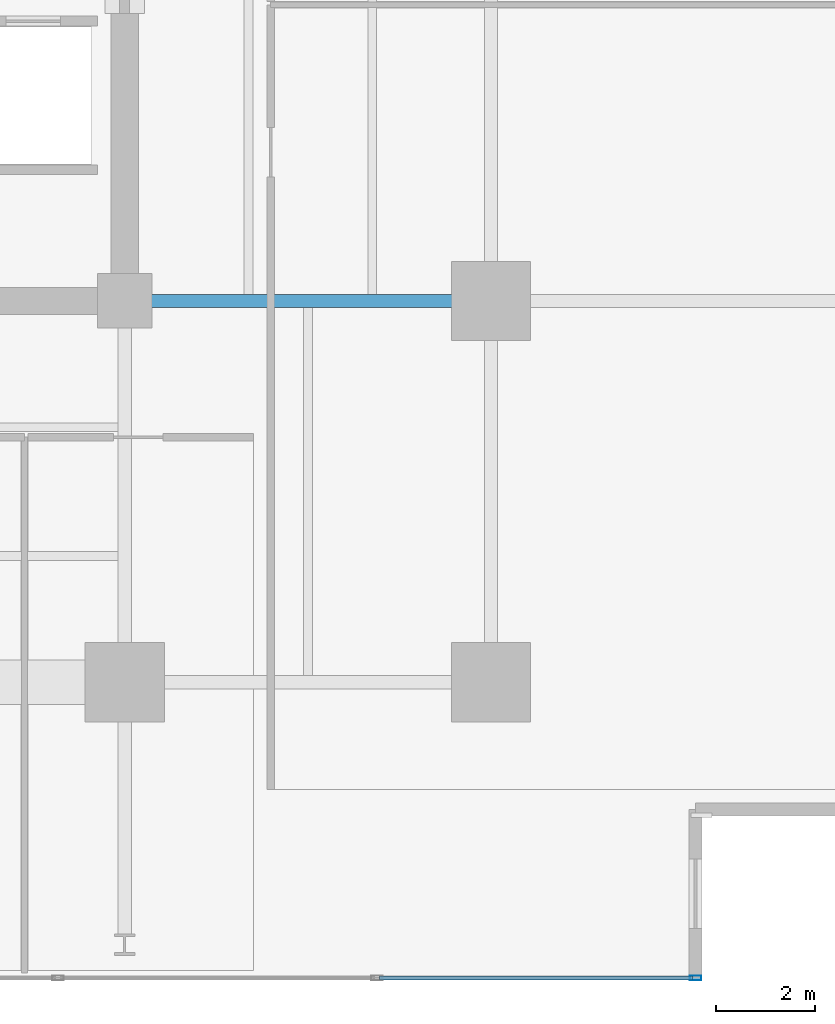
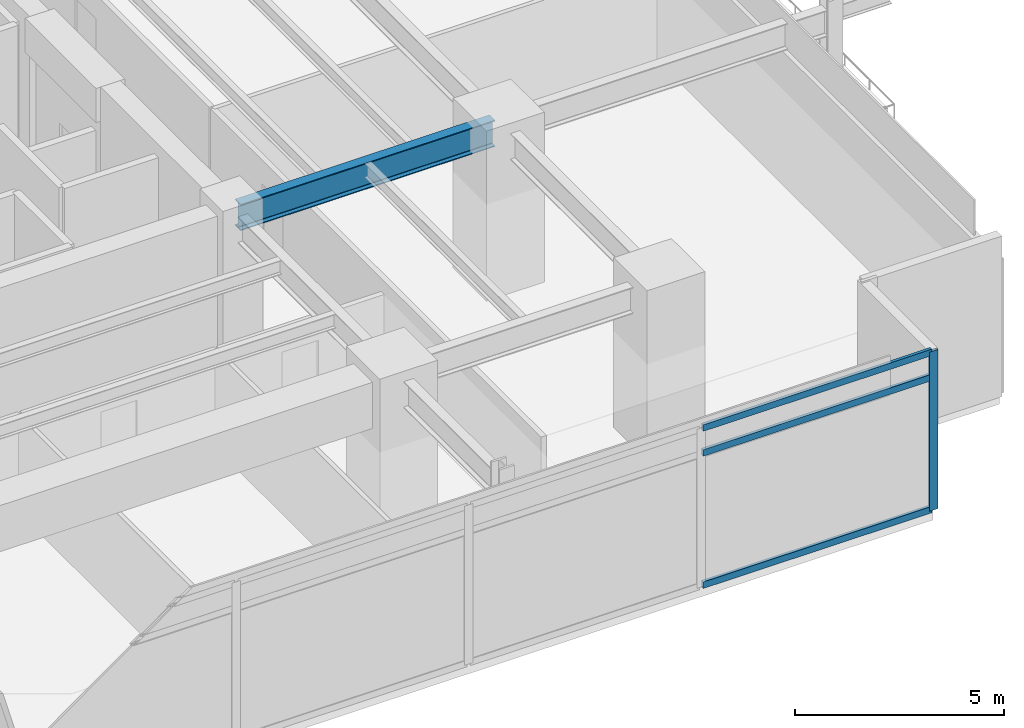
# One storey, part 6 of 24: 4 members, 1 beam, 1 element without a shape of its own.
"""IFC4 building model written with IfcOpenShell, lengths in metres."""

from ifc_helpers import new_model, si_unit, direction, frame, origin, origin_2d, place, context, subcontext, project, spatial, hollow_rectangle, i_section, extrude, material, material_profile, profile_set, type_object, element, aggregate, save


model = new_model("IFC4")

# Units and contexts
model_context = context("Model", 3, precision=1e-05, world=origin(), true_north=direction((0.0, 1.0)))
body_context = subcontext(model_context, "Body", "Model", "MODEL_VIEW")
ifc_project = project(units=[si_unit("LENGTHUNIT", "METRE"), si_unit("AREAUNIT", "SQUARE_METRE"), si_unit("VOLUMEUNIT", "CUBIC_METRE"), si_unit("PLANEANGLEUNIT", "RADIAN"), si_unit("MASSUNIT", "GRAM", prefix="KILO")], contexts=[model_context])

# Site, building, storey
site_placement = place(None, origin())
site = spatial("IfcSite", under=ifc_project, at=site_placement, CompositionType="ELEMENT")
building_placement = place(site_placement, origin())
building = spatial("IfcBuilding", under=site, at=building_placement, Name="Kovane Verandah Tower", CompositionType="ELEMENT")
storey_placement = place(building_placement, frame((0.0, 0.0, 118.39990234375)))
storey = spatial("IfcBuildingStorey", under=building, at=storey_placement, Name="L27", CompositionType="ELEMENT", Elevation=118.39990234375)

# Beam
ifc_material_1 = material(Name="Steel S355", Category="steel")
ifc_material_profile_1 = material_profile(ifc_material_1, i_section(OverallWidth=0.26806640625, OverallDepth=0.769775390625, WebThickness=0.015625, FlangeThickness=0.025390625, FilletRadius=0.0166015625, at=origin_2d()), Name="UB762x267x197")
ifc_profile_set_1 = profile_set([ifc_material_profile_1], Name="Steel S355")
beam_type = type_object("IfcBeamType", Name="BM-UB762x197", PredefinedType="BEAM", material=ifc_profile_set_1)
beam_placement = place(storey_placement, frame((51.179931640625, 18.5, 4.315185546875), z_axis=(1.0, 0.0, 0.0), x_axis=(0.0, 1.0, 0.0)))
element("IfcBeam", 1, at=beam_placement, inside=storey, type_object=beam_type, Name="L27 Primary Tower Girder G-E1", PredefinedType="BEAM", context=body_context, shape_type="SweptSolid", body=[
    extrude(i_section(OverallWidth=0.26806640625, OverallDepth=0.769775390625, WebThickness=0.015625, FlangeThickness=0.025390625, FilletRadius=0.0166015625, at=origin_2d()), origin(), (0.0, 0.0, 1.0), 7.0400390625),
])

# Curtain wall, members
ifc_material_2 = material(Name="Champagne Anodised Aluminium Frame with Low-E Clear Laminated Glass", Category="aluminium")
curtain_wall_type = type_object("IfcCurtainWallType", Name="CW-SYS-03-MID", PredefinedType="NOTDEFINED", material=ifc_material_2)
curtain_wall_placement = place(storey_placement, origin())
curtain_wall = element("IfcCurtainWall", 2, at=curtain_wall_placement, inside=storey, type_object=curtain_wall_type, Name="L27 S Unitised Curtain Wall", PredefinedType="NOTDEFINED")
ifc_material_3 = material(Name="Champagne Anodised Aluminium 6063-T6", Category="aluminium")
ifc_material_profile_2 = material_profile(ifc_material_3, hollow_rectangle(XDim=0.0849609375, YDim=0.22998046875, WallThickness=0.00390625, at=origin_2d()), Name="AL85x230x4")
ifc_profile_set_2 = profile_set([ifc_material_profile_2], Name="Champagne Anodised Aluminium 6063-T6")
member_type_1 = type_object("IfcMemberType", Name="CW-MUL-85x230", PredefinedType="MULLION", material=ifc_profile_set_2)
member_1_placement = place(storey_placement, frame((62.52978515625, 4.8291015625, 0.02001953125), z_axis=(0.0, 0.0, 1.0), x_axis=(0.0, -1.0, 0.0)))
member_1 = element("IfcMember", 3, at=member_1_placement, type_object=member_type_1, Name="L27 S Unitised Curtain Wall Mullion 8", PredefinedType="MULLION", context=body_context, shape_type="SweptSolid", body=[
    extrude(hollow_rectangle(XDim=0.0849609375, YDim=0.22998046875, WallThickness=0.00390625, at=origin_2d()), origin(), (0.0, 0.0, 1.0), 4.66015625),
])
ifc_material_profile_3 = material_profile(ifc_material_3, hollow_rectangle(XDim=0.0849609375, YDim=0.18994140625, WallThickness=0.00390625, at=origin_2d()), Name="AL85x190x4")
ifc_profile_set_3 = profile_set([ifc_material_profile_3], Name="Champagne Anodised Aluminium 6063-T6")
member_type_2 = type_object("IfcMemberType", Name="CW-TRN-85x190", PredefinedType="USERDEFINED", material=ifc_profile_set_3)
member_2_placement = place(storey_placement, frame((56.142822265625, 4.8291015625, 0.050048828125), z_axis=(1.0, 0.0, 0.0), x_axis=(0.0, 1.0, 0.0)))
member_2 = element("IfcMember", 4, at=member_2_placement, type_object=member_type_2, Name="L27 S Unitised Curtain Wall Transom TB Bay 7", ObjectType="TRANSOM", PredefinedType="USERDEFINED", context=body_context, shape_type="SweptSolid", body=[
    extrude(hollow_rectangle(XDim=0.0849609375, YDim=0.18994140625, WallThickness=0.00390625, at=origin_2d()), origin(), (0.0, 0.0, 1.0), 6.337158203125),
])
member_3_placement = place(storey_placement, frame((56.142822265625, 4.8291015625, 3.920166015625), z_axis=(1.0, 0.0, 0.0), x_axis=(0.0, 1.0, 0.0)))
member_3 = element("IfcMember", 5, at=member_3_placement, type_object=member_type_2, Name="L27 S Unitised Curtain Wall Transom TM Bay 7", ObjectType="TRANSOM", PredefinedType="USERDEFINED", context=body_context, shape_type="SweptSolid", body=[
    extrude(hollow_rectangle(XDim=0.0849609375, YDim=0.18994140625, WallThickness=0.00390625, at=origin_2d()), origin(), (0.0, 0.0, 1.0), 6.337158203125),
])
member_4_placement = place(storey_placement, frame((56.142822265625, 4.8291015625, 4.650146484375), z_axis=(1.0, 0.0, 0.0), x_axis=(0.0, 1.0, 0.0)))
member_4 = element("IfcMember", 6, at=member_4_placement, type_object=member_type_2, Name="L27 S Unitised Curtain Wall Transom TT Bay 7", ObjectType="TRANSOM", PredefinedType="USERDEFINED", context=body_context, shape_type="SweptSolid", body=[
    extrude(hollow_rectangle(XDim=0.0849609375, YDim=0.18994140625, WallThickness=0.00390625, at=origin_2d()), origin(), (0.0, 0.0, 1.0), 6.337158203125),
])
aggregate(curtain_wall, [member_1, member_2, member_3, member_4])

save(model, "model.ifc")
